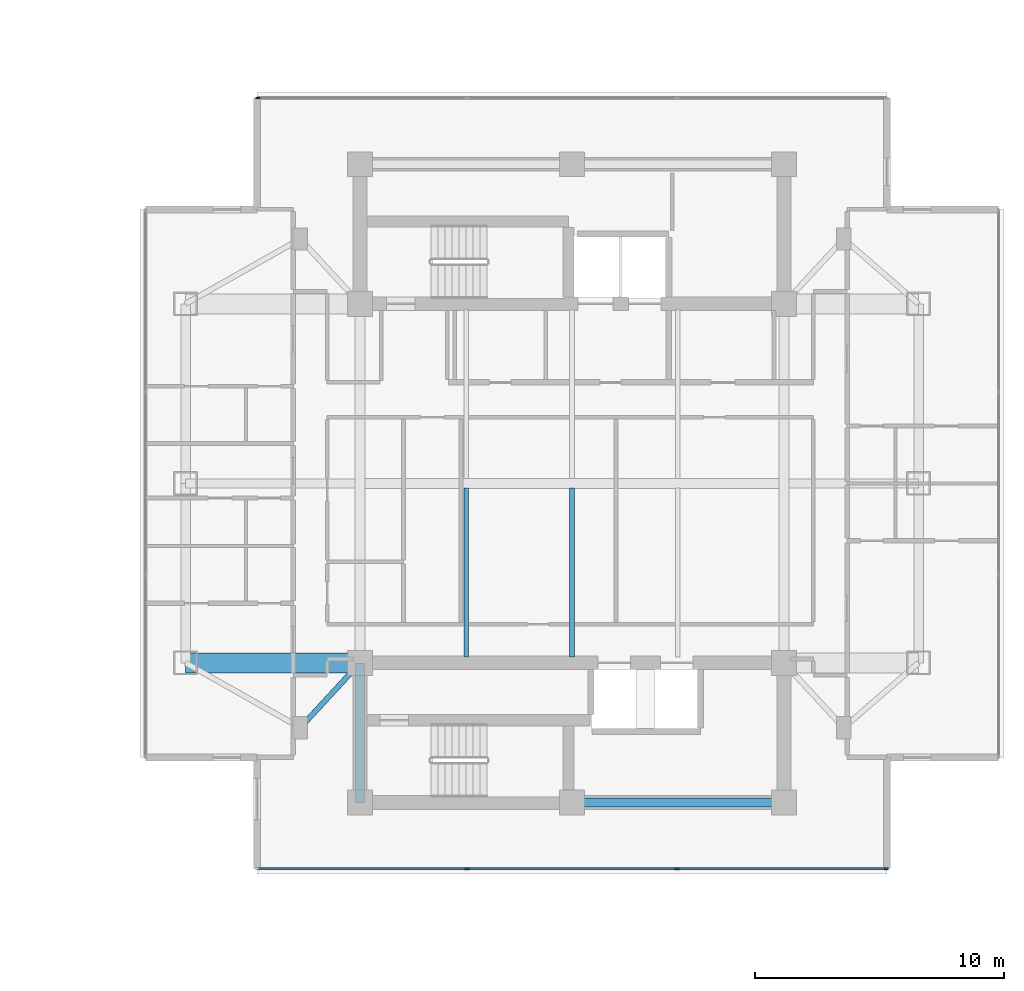
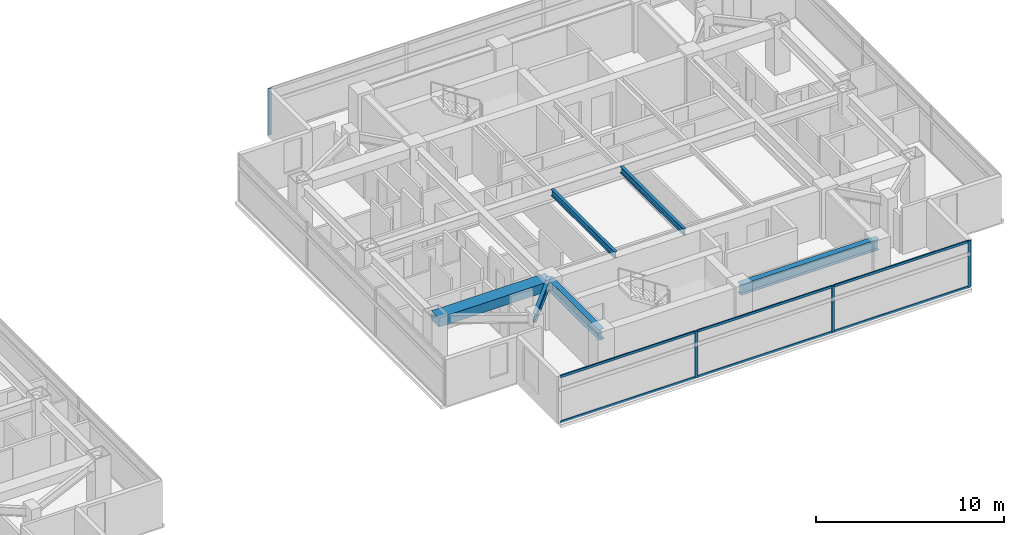
# One storey, part 8 of 24: 10 members, 6 beams, 2 elements without a shape of their own.
"""IFC4 building model written with IfcOpenShell, lengths in metres."""

import ifcopenshell
import ifcopenshell.guid

model = None  # the IFC model being written
_history = None  # IfcOwnerHistory: only IFC2X3 demands one
_inside = {}  # id of a spatial element -> (the spatial element, [elements in it])
_under = {}  # id of a project, library or spatial element -> (it, [spatial elements below it])
_declared = {}  # id of a project -> (the project, [libraries it declares])
_typed = {}  # id of a type object -> (the type object, [elements of that type])
_made_of = {}  # id of a material, layer set ... -> (it, [elements and type objects made of it])


def new_model(schema):
    """Start an empty IFC model of exactly this schema.

    Asked for "IFC4X3", IfcOpenShell would pick the latest addendum, in which some entities
    have other attributes; the version numbers below select the first issue.
    IFC2X3 requires an IfcOwnerHistory on every rooted entity: one is made here for all.
    """
    global model, _history
    if schema == "IFC4X3":
        model = ifcopenshell.file(schema_version=(4, 3, 0, 0))
    else:
        model = ifcopenshell.file(schema=schema)
    _inside.clear()
    _under.clear()
    _declared.clear()
    _typed.clear()
    _made_of.clear()
    _history = None
    if model.schema == "IFC2X3":
        org = make("IfcOrganization", Name="unknown")
        user = make(
            "IfcPersonAndOrganization",
            ThePerson=make("IfcPerson", FamilyName="unknown"),
            TheOrganization=org,
        )
        app = make(
            "IfcApplication",
            ApplicationDeveloper=org,
            Version="unknown",
            ApplicationFullName="unknown",
            ApplicationIdentifier="unknown",
        )
        _history = make(
            "IfcOwnerHistory",
            OwningUser=user,
            OwningApplication=app,
            ChangeAction="ADDED",
            CreationDate=0,
        )
    return model


def make(cls, **values):
    """One entity of the class cls with the attributes given. An attribute that is None is left unset."""
    return model.create_entity(
        cls, **{name: value for name, value in values.items() if value is not None}
    )


def rooted(cls, **values):
    """An entity with a GlobalId (a new one), such as an element, a storey or a relation."""
    return make(cls, GlobalId=ifcopenshell.guid.new(), OwnerHistory=_history, **values)


def si_unit(unit_type, name, prefix=None):
    """IfcSIUnit, for example si_unit("LENGTHUNIT", "METRE", prefix="MILLI")."""
    return make("IfcSIUnit", UnitType=unit_type, Prefix=prefix, Name=name)


def assignment(units):
    """IfcUnitAssignment: the units of a project."""
    return None if units is None else make("IfcUnitAssignment", Units=units)


def point(xyz):
    """IfcCartesianPoint."""
    return None if xyz is None else make("IfcCartesianPoint", Coordinates=xyz)


def direction(xyz):
    """IfcDirection."""
    return None if xyz is None else make("IfcDirection", DirectionRatios=xyz)


def frame(location, z_axis=None, x_axis=None):
    """IfcAxis2Placement3D, a coordinate frame: its origin and axes. An axis left out is left unset."""
    return make(
        "IfcAxis2Placement3D",
        Location=point(location),
        Axis=direction(z_axis),
        RefDirection=direction(x_axis),
    )


def frame_2d(location, x_axis=None):
    """IfcAxis2Placement2D, a coordinate frame in the plane: its origin and x axis."""
    return make(
        "IfcAxis2Placement2D", Location=point(location), RefDirection=direction(x_axis)
    )


def origin():
    """The frame at (0, 0, 0) with its axes left unset."""
    return frame((0.0, 0.0, 0.0))


def origin_2d():
    """The frame at (0, 0) in the plane with its x axis left unset."""
    return frame_2d((0.0, 0.0))


def place(relative_to, where):
    """IfcLocalPlacement: puts the frame where relative to a parent placement (None: the world)."""
    return make(
        "IfcLocalPlacement", PlacementRelTo=relative_to, RelativePlacement=where
    )


def context(
    kind, dimensions, precision=None, world=None, true_north=None, identifier=None
):
    """IfcGeometricRepresentationContext, for example the 3D "Model" context."""
    return make(
        "IfcGeometricRepresentationContext",
        ContextIdentifier=identifier,
        ContextType=kind,
        CoordinateSpaceDimension=dimensions,
        Precision=precision,
        WorldCoordinateSystem=world,
        TrueNorth=true_north,
    )


def subcontext(parent, identifier, kind, view, scale=None):
    """IfcGeometricRepresentationSubContext, for example "Body" below "Model"."""
    return make(
        "IfcGeometricRepresentationSubContext",
        ContextIdentifier=identifier,
        ContextType=kind,
        ParentContext=parent,
        TargetScale=scale,
        TargetView=view,
    )


def project(units=None, contexts=None):
    """IfcProject with its units and contexts."""
    return rooted(
        "IfcProject",
        Name="project",
        RepresentationContexts=contexts,
        UnitsInContext=assignment(units),
    )


def spatial(cls, under=None, at=None, **own):
    """A site, building, storey or space (cls), placed at a placement, below another one or the project."""
    s = rooted(cls, ObjectPlacement=at, **own)
    if under is not None:
        _under.setdefault(under.id(), (under, []))[1].append(s)
    return s


def profile(cls, at=None, kind="AREA", **sizes):
    """A parametric profile (cls). Its sizes go by their IFC names, for example OverallWidth=200.0."""
    return make(cls, ProfileType=kind, Position=at, **sizes)


def rectangle(**sizes):
    """IfcRectangleProfileDef."""
    return profile("IfcRectangleProfileDef", **sizes)


def i_section(**sizes):
    """IfcIShapeProfileDef."""
    return profile("IfcIShapeProfileDef", **sizes)


def extrude(swept, where, along, depth):
    """IfcExtrudedAreaSolid: the profile swept, set in the frame where, extruded along a direction by depth."""
    return make(
        "IfcExtrudedAreaSolid",
        SweptArea=swept,
        Position=where,
        ExtrudedDirection=direction(along),
        Depth=depth,
    )


def shape(context_of_items, identifier, shape_type, items):
    """IfcShapeRepresentation: the items that make up one representation, for example the "Body"."""
    return make(
        "IfcShapeRepresentation",
        ContextOfItems=context_of_items,
        RepresentationIdentifier=identifier,
        RepresentationType=shape_type,
        Items=items,
    )


def material(Name=None, Category=None):
    """IfcMaterial."""
    return make("IfcMaterial", Name=Name, Category=Category)


def material_profile(
    of_material, cross_section, Name=None, Category=None, Priority=None
):
    """IfcMaterialProfile: a cross section and its material."""
    return make(
        "IfcMaterialProfile",
        Name=Name,
        Material=of_material,
        Profile=cross_section,
        Priority=Priority,
        Category=Category,
    )


def profile_set(profiles, Name=None, composite=None):
    """IfcMaterialProfileSet."""
    return make(
        "IfcMaterialProfileSet",
        Name=Name,
        MaterialProfiles=profiles,
        CompositeProfile=composite,
    )


def made_of(thing, what):
    """Note that an element or type object is made of a material, layer set ...; save() writes the relation."""
    if what is not None:
        _made_of.setdefault(what.id(), (what, []))[1].append(thing)
    return thing


def type_object(cls, material=None, **own):
    """A type object (cls), such as IfcWallType, which elements share."""
    return made_of(rooted(cls, **own), material)


def element(
    cls,
    number,
    at=None,
    inside=None,
    cuts=None,
    type_object=None,
    material=None,
    context=None,
    identifier="Body",
    shape_type=None,
    held_by="IfcProductDefinitionShape",
    body=None,
    shapes=None,
    **own,
):
    """One element of the class cls, such as IfcWall. Its Tag is "e" and its number.

    at: its placement. inside: the storey or other place that contains it. cuts: it is an
    opening in that element (IfcRelVoidsElement). A single representation is given by context,
    identifier, shape_type and body (its items); several are given by shapes. held_by: the class
    of the entity that holds the representations. save() writes the other relations.
    """
    e = rooted(cls, Tag="e%d" % number, ObjectPlacement=at, **own)
    if body is not None:
        shapes = [shape(context, identifier, shape_type, body)]
    if shapes is not None:
        e.Representation = make(held_by, Representations=shapes)
    if inside is not None:
        _inside.setdefault(inside.id(), (inside, []))[1].append(e)
    if cuts is not None:
        rooted(
            "IfcRelVoidsElement", RelatingBuildingElement=cuts, RelatedOpeningElement=e
        )
    if type_object is not None:
        _typed.setdefault(type_object.id(), (type_object, []))[1].append(e)
    return made_of(e, material)


def aggregate(whole, parts):
    """IfcRelAggregates: a whole, such as a stair, and the parts it consists of."""
    return rooted("IfcRelAggregates", RelatingObject=whole, RelatedObjects=parts)


def save(model, path):
    """Write the relations noted so far, then the file.

    IfcRelAggregates (storeys below a building ...), IfcRelContainedInSpatialStructure (elements
    in a storey), IfcRelDefinesByType, IfcRelAssociatesMaterial and IfcRelDeclares: one each for
    every whole, place, type object, material and project.
    """
    for whole, parts in _under.values():
        aggregate(whole, parts)
    for where, things in _inside.values():
        rooted(
            "IfcRelContainedInSpatialStructure",
            RelatedElements=things,
            RelatingStructure=where,
        )
    for kind, things in _typed.values():
        rooted("IfcRelDefinesByType", RelatedObjects=things, RelatingType=kind)
    for what, things in _made_of.values():
        rooted("IfcRelAssociatesMaterial", RelatedObjects=things, RelatingMaterial=what)
    for by, libraries in _declared.values():
        rooted("IfcRelDeclares", RelatingContext=by, RelatedDefinitions=libraries)
    model.write(path)


model = new_model("IFC4")

# Units and contexts
model_context = context("Model", 3, precision=1e-05, world=origin(), true_north=direction((0.0, 1.0)))
body_context = subcontext(model_context, "Body", "Model", "MODEL_VIEW")
ifc_project = project(units=[si_unit("LENGTHUNIT", "METRE"), si_unit("AREAUNIT", "SQUARE_METRE"), si_unit("VOLUMEUNIT", "CUBIC_METRE"), si_unit("PLANEANGLEUNIT", "RADIAN"), si_unit("MASSUNIT", "GRAM", prefix="KILO")], contexts=[model_context])

# Site, building, storey
site_placement = place(None, origin())
site = spatial("IfcSite", under=ifc_project, at=site_placement, CompositionType="ELEMENT")
building_placement = place(site_placement, origin())
building = spatial("IfcBuilding", under=site, at=building_placement, Name="Mirazonda Arch Towers", CompositionType="ELEMENT")
storey_placement = place(building_placement, frame((0.0, 0.0, 160.89990234375)))
storey = spatial("IfcBuildingStorey", under=building, at=storey_placement, Name="L45", CompositionType="ELEMENT", Elevation=160.89990234375)

# Beams
ifc_material_1 = material(Name="Steel ASTM A992 Grade 50", Category="steel")
ifc_material_profile_1 = material_profile(ifc_material_1, i_section(OverallWidth=0.180908203125, OverallDepth=0.4169921875, WebThickness=0.010986328125, FlangeThickness=0.018310546875, at=origin_2d()), Name="W16X57")
ifc_profile_set_1 = profile_set([ifc_material_profile_1], Name="Steel ASTM A992 Grade 50")
beam_type_1 = type_object("IfcBeamType", Name="BM-INT-W16X57", PredefinedType="JOIST", material=ifc_profile_set_1)
for number, where, z_axis, x_axis, name in (
    (1, (72.25, 21.0400390625, 2.841552734375), (0.0, 1.0, 0.0), (-1.0, 0.0, 0.0), "L45 Floor Beam BM-T2-L45-J-722-20"),
    (2, (76.5, 21.0400390625, 2.841552734375), (0.0, 1.0, 0.0), (-1.0, 0.0, 0.0), "L45 Floor Beam BM-T2-L45-J-765-20"),
):
    element("IfcBeam", number, at=place(storey_placement, frame(where, z_axis=z_axis, x_axis=x_axis)), inside=storey, type_object=beam_type_1, Name=name, PredefinedType="JOIST", context=body_context, shape_type="SweptSolid", body=[
        extrude(i_section(OverallWidth=0.180908203125, OverallDepth=0.4169921875, WebThickness=0.010986328125, FlangeThickness=0.018310546875, at=origin_2d()), origin(), (0.0, 0.0, 1.0), 6.763916015625),
    ])
ifc_material_profile_2 = material_profile(ifc_material_1, i_section(OverallWidth=0.214111328125, OverallDepth=0.549072265625, WebThickness=0.0146484375, FlangeThickness=0.023681640625, at=origin_2d()), Name="W21X93")
ifc_profile_set_2 = profile_set([ifc_material_profile_2], Name="Steel ASTM A992 Grade 50")
beam_type_2 = type_object("IfcBeamType", Name="BM-INT-W21X93", PredefinedType="BEAM", material=ifc_profile_set_2)
beam_1_placement = place(storey_placement, frame((65.60009765625, 18.199951171875, 2.775634765625), z_axis=(0.678251444854, 0.734829897019, 0.0), x_axis=(-0.734829897019, 0.678251444854, 0.0)))
element("IfcBeam", 3, at=beam_1_placement, inside=storey, type_object=beam_type_2, Name="L45 Floor Beam BM-T2-L45-PL-SW1", PredefinedType="BEAM", context=body_context, shape_type="SweptSolid", body=[
    extrude(i_section(OverallWidth=0.214111328125, OverallDepth=0.549072265625, WebThickness=0.0146484375, FlangeThickness=0.023681640625, at=origin_2d()), origin(), (0.0, 0.0, 1.0), 3.538330078125),
])
ifc_material_profile_3 = material_profile(ifc_material_1, i_section(OverallWidth=0.35498046875, OverallDepth=0.696044921875, WebThickness=0.015380859375, FlangeThickness=0.02490234375, at=origin_2d()), Name="W27X146")
ifc_profile_set_3 = profile_set([ifc_material_profile_3], Name="Steel ASTM A992 Grade 50")
beam_type_3 = type_object("IfcBeamType", Name="BM-INT-W27X146", PredefinedType="BEAM", material=ifc_profile_set_3)
beam_2_placement = place(storey_placement, frame((76.5, 15.199951171875, 2.7021484375), z_axis=(1.0, 0.0, 0.0), x_axis=(0.0, 1.0, 0.0)))
element("IfcBeam", 4, at=beam_2_placement, inside=storey, type_object=beam_type_3, Name="L45 Floor Beam BM-T2-L45-CS2", PredefinedType="BEAM", context=body_context, shape_type="SweptSolid", body=[
    extrude(i_section(OverallWidth=0.35498046875, OverallDepth=0.696044921875, WebThickness=0.015380859375, FlangeThickness=0.02490234375, at=origin_2d()), origin(), (0.0, 0.0, 1.0), 8.5),
])
beam_3_placement = place(storey_placement, frame((68.0, 15.199951171875, 2.7021484375), z_axis=(0.0, 1.0, 0.0), x_axis=(-1.0, 0.0, 0.0)))
element("IfcBeam", 5, at=beam_3_placement, inside=storey, type_object=beam_type_3, Name="L45 Floor Beam BM-T2-L45-CSW", PredefinedType="BEAM", context=body_context, shape_type="SweptSolid", body=[
    extrude(i_section(OverallWidth=0.35498046875, OverallDepth=0.696044921875, WebThickness=0.015380859375, FlangeThickness=0.02490234375, at=origin_2d()), origin(), (0.0, 0.0, 1.0), 5.60009765625),
])
ifc_material_2 = material(Name="Concrete C60/75", Category="concrete")
ifc_material_profile_4 = material_profile(ifc_material_2, rectangle(XDim=0.800048828125, YDim=0.60009765625, at=origin_2d()), Name="RCCB800x600")
ifc_profile_set_4 = profile_set([ifc_material_profile_4], Name="Concrete C60/75")
beam_type_4 = type_object("IfcBeamType", Name="CB-INT-RCCB800x600", PredefinedType="SPANDREL", material=ifc_profile_set_4)
beam_4_placement = place(storey_placement, frame((61.0, 20.800048828125, 2.75), z_axis=(1.0, 0.0, 0.0), x_axis=(0.0, 1.0, 0.0)))
element("IfcBeam", 6, at=beam_4_placement, inside=storey, type_object=beam_type_4, Name="L45 Floor Beam CBC-T2-L45-SW", PredefinedType="SPANDREL", context=body_context, shape_type="SweptSolid", body=[
    extrude(rectangle(XDim=0.800048828125, YDim=0.60009765625, at=origin_2d()), origin(), (0.0, 0.0, 1.0), 7.0),
])

# Curtain wall, members
ifc_material_3 = material(Name="Anodised Aluminium and Low-E Glass", Category="aluminium")
curtain_wall_type = type_object("IfcCurtainWallType", Name="CW-RES-UNIT", PredefinedType="NOTDEFINED", material=ifc_material_3)
curtain_wall_1_placement = place(storey_placement, origin())
curtain_wall_1 = element("IfcCurtainWall", 7, at=curtain_wall_1_placement, inside=storey, type_object=curtain_wall_type, Name="L45 T2 S Facade CW-L45-T2-S", PredefinedType="NOTDEFINED")
ifc_material_4 = material(Name="Anodised Aluminium Alloy", Category="aluminium")
ifc_material_profile_5 = material_profile(ifc_material_4, rectangle(XDim=0.074951171875, YDim=0.175048828125, at=origin_2d()), Name="ALU-MULL-75x175")
ifc_profile_set_5 = profile_set([ifc_material_profile_5], Name="Anodised Aluminium Alloy")
member_type_1 = type_object("IfcMemberType", Name="MULL-CW-RES-UNIT", PredefinedType="MULLION", material=ifc_profile_set_5)
member_1_placement = place(storey_placement, frame((89.105712890625, 12.5419921875, 0.0), z_axis=(0.0, 0.0, 1.0), x_axis=(0.0, -1.0, 0.0)))
member_1 = element("IfcMember", 8, at=member_1_placement, type_object=member_type_1, Name="CW-104 mullion 1", PredefinedType="MULLION", context=body_context, shape_type="SweptSolid", body=[
    extrude(rectangle(XDim=0.074951171875, YDim=0.175048828125, at=origin_2d()), origin(), (0.0, 0.0, 1.0), 3.030029296875),
])
member_2_placement = place(storey_placement, frame((80.71435546875, 12.5419921875, 0.0), z_axis=(0.0, 0.0, 1.0), x_axis=(0.0, -1.0, 0.0)))
member_2 = element("IfcMember", 9, at=member_2_placement, type_object=member_type_1, Name="CW-104 mullion 2", PredefinedType="MULLION", context=body_context, shape_type="SweptSolid", body=[
    extrude(rectangle(XDim=0.074951171875, YDim=0.175048828125, at=origin_2d()), origin(), (0.0, 0.0, 1.0), 3.030029296875),
])
member_3_placement = place(storey_placement, frame((72.28564453125, 12.5419921875, 0.0), z_axis=(0.0, 0.0, 1.0), x_axis=(0.0, -1.0, 0.0)))
member_3 = element("IfcMember", 10, at=member_3_placement, type_object=member_type_1, Name="CW-104 mullion 3", PredefinedType="MULLION", context=body_context, shape_type="SweptSolid", body=[
    extrude(rectangle(XDim=0.074951171875, YDim=0.175048828125, at=origin_2d()), origin(), (0.0, 0.0, 1.0), 3.030029296875),
])

# Curtain wall, member
curtain_wall_2_placement = place(storey_placement, origin())
curtain_wall_2 = element("IfcCurtainWall", 11, at=curtain_wall_2_placement, inside=storey, type_object=curtain_wall_type, Name="L45 T2 N Facade CW-L45-T2-N", PredefinedType="NOTDEFINED")
member_4_placement = place(storey_placement, frame((63.894287109375, 43.4580078125, 0.0), z_axis=(0.0, 0.0, 1.0), x_axis=(0.0, 1.0, 0.0)))
member_4 = element("IfcMember", 12, at=member_4_placement, type_object=member_type_1, Name="CW-104 mullion 1", PredefinedType="MULLION", context=body_context, shape_type="SweptSolid", body=[
    extrude(rectangle(XDim=0.074951171875, YDim=0.175048828125, at=origin_2d()), origin(), (0.0, 0.0, 1.0), 3.030029296875),
])
aggregate(curtain_wall_2, [member_4])

# Member
ifc_material_profile_6 = material_profile(ifc_material_4, rectangle(XDim=0.074951171875, YDim=0.155029296875, at=origin_2d()), Name="ALU-TRAN-75x155")
ifc_profile_set_6 = profile_set([ifc_material_profile_6], Name="Anodised Aluminium Alloy")
member_type_2 = type_object("IfcMemberType", Name="TRAN-CW-RES-UNIT", PredefinedType="USERDEFINED", material=ifc_profile_set_6)
member_5_placement = place(storey_placement, frame((89.068359375, 12.5419921875, 0.03759765625), z_axis=(-1.0, 0.0, 0.0), x_axis=(0.0, -1.0, 0.0)))
member_5 = element("IfcMember", 13, at=member_5_placement, type_object=member_type_2, Name="CW-104 transom 1.1", ObjectType="TRANSOM", PredefinedType="USERDEFINED", context=body_context, shape_type="SweptSolid", body=[
    extrude(rectangle(XDim=0.074951171875, YDim=0.155029296875, at=origin_2d()), origin(), (0.0, 0.0, 1.0), 8.31640625),
])

member_6_placement = place(storey_placement, frame((89.068359375, 12.5419921875, 2.99267578125), z_axis=(-1.0, 0.0, 0.0), x_axis=(0.0, -1.0, 0.0)))
member_6 = element("IfcMember", 14, at=member_6_placement, type_object=member_type_2, Name="CW-104 transom 1.2", ObjectType="TRANSOM", PredefinedType="USERDEFINED", context=body_context, shape_type="SweptSolid", body=[
    extrude(rectangle(XDim=0.074951171875, YDim=0.155029296875, at=origin_2d()), origin(), (0.0, 0.0, 1.0), 8.31640625),
])

member_7_placement = place(storey_placement, frame((80.677001953125, 12.5419921875, 0.03759765625), z_axis=(-1.0, 0.0, 0.0), x_axis=(0.0, -1.0, 0.0)))
member_7 = element("IfcMember", 15, at=member_7_placement, type_object=member_type_2, Name="CW-104 transom 2.1", ObjectType="TRANSOM", PredefinedType="USERDEFINED", context=body_context, shape_type="SweptSolid", body=[
    extrude(rectangle(XDim=0.074951171875, YDim=0.155029296875, at=origin_2d()), origin(), (0.0, 0.0, 1.0), 8.35400390625),
])

member_8_placement = place(storey_placement, frame((80.677001953125, 12.5419921875, 2.99267578125), z_axis=(-1.0, 0.0, 0.0), x_axis=(0.0, -1.0, 0.0)))
member_8 = element("IfcMember", 16, at=member_8_placement, type_object=member_type_2, Name="CW-104 transom 2.2", ObjectType="TRANSOM", PredefinedType="USERDEFINED", context=body_context, shape_type="SweptSolid", body=[
    extrude(rectangle(XDim=0.074951171875, YDim=0.155029296875, at=origin_2d()), origin(), (0.0, 0.0, 1.0), 8.35400390625),
])

member_9_placement = place(storey_placement, frame((72.248046875, 12.5419921875, 0.03759765625), z_axis=(-1.0, 0.0, 0.0), x_axis=(0.0, -1.0, 0.0)))
member_9 = element("IfcMember", 17, at=member_9_placement, type_object=member_type_2, Name="CW-104 transom 3.1", ObjectType="TRANSOM", PredefinedType="USERDEFINED", context=body_context, shape_type="SweptSolid", body=[
    extrude(rectangle(XDim=0.074951171875, YDim=0.155029296875, at=origin_2d()), origin(), (0.0, 0.0, 1.0), 8.31640625),
])

member_10_placement = place(storey_placement, frame((72.248046875, 12.5419921875, 2.99267578125), z_axis=(-1.0, 0.0, 0.0), x_axis=(0.0, -1.0, 0.0)))
member_10 = element("IfcMember", 18, at=member_10_placement, type_object=member_type_2, Name="CW-104 transom 3.2", ObjectType="TRANSOM", PredefinedType="USERDEFINED", context=body_context, shape_type="SweptSolid", body=[
    extrude(rectangle(XDim=0.074951171875, YDim=0.155029296875, at=origin_2d()), origin(), (0.0, 0.0, 1.0), 8.31640625),
])

aggregate(curtain_wall_1, [member_1, member_2, member_3, member_5, member_6, member_7, member_8, member_9, member_10])

save(model, "model.ifc")
